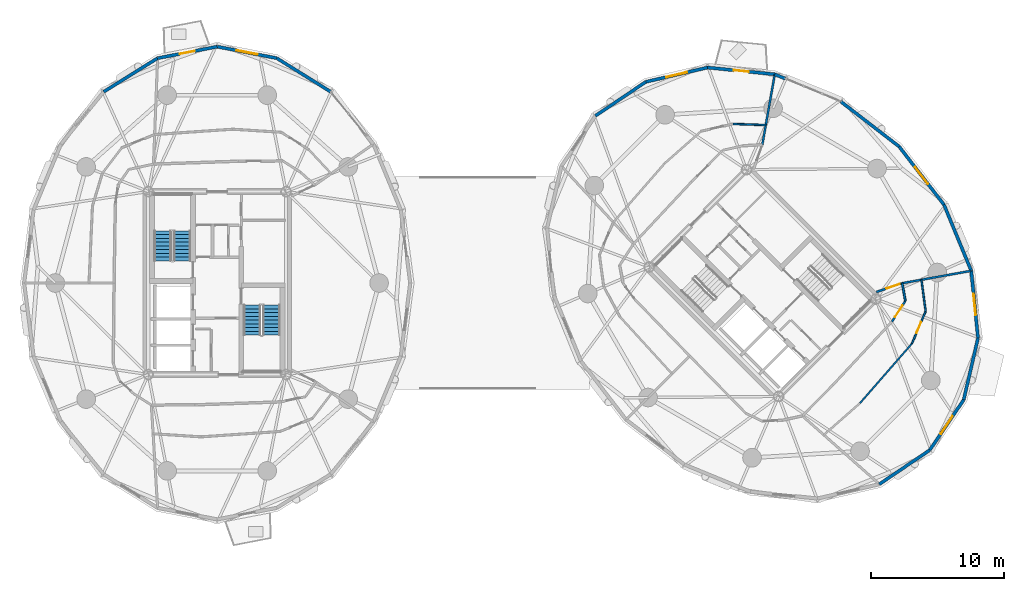
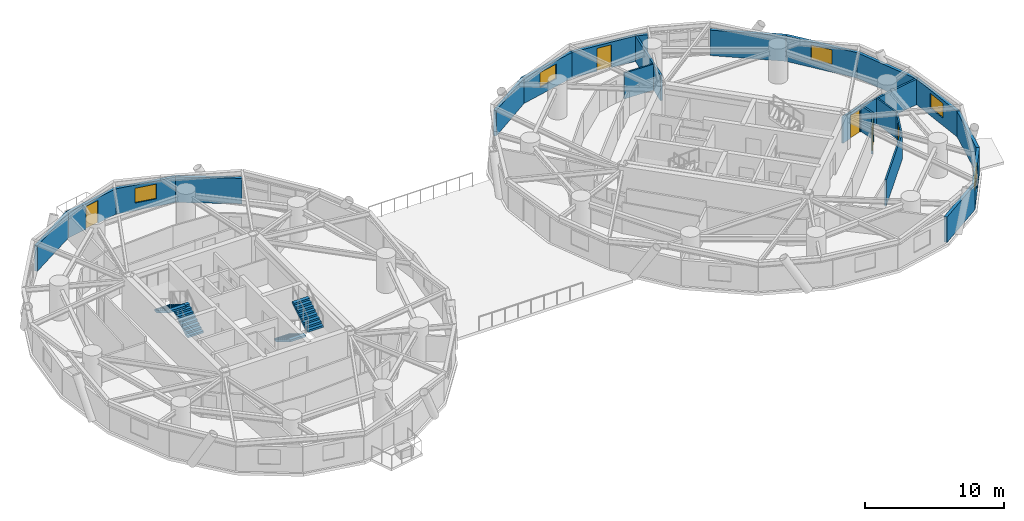
# One storey, part 14 of 19: 24 walls, 5 doors, 5 windows, 4 stair flights, 10 openings, 2 elements without a shape of their own.
"""IFC4 building model written with IfcOpenShell, lengths in metres."""

from ifc_helpers import new_model, si_unit, direction, frame, frame_2d, origin, place, context, subcontext, project, spatial, polyline, rectangle, outline, extrude, source, transform, mapped, material, layer, layer_set, type_object, element, fill, aggregate, save


model = new_model("IFC4")

# Units and contexts
model_context = context("Model", 3, precision=1e-05, world=origin(), true_north=direction((0.0, 1.0)))
body_context = subcontext(model_context, "Body", "Model", "MODEL_VIEW")
ifc_project = project(units=[si_unit("LENGTHUNIT", "METRE"), si_unit("AREAUNIT", "SQUARE_METRE"), si_unit("VOLUMEUNIT", "CUBIC_METRE"), si_unit("PLANEANGLEUNIT", "RADIAN"), si_unit("MASSUNIT", "GRAM", prefix="KILO")], contexts=[model_context])

# Site, building, storey
site_placement = place(None, origin())
site = spatial("IfcSite", under=ifc_project, at=site_placement, CompositionType="ELEMENT")
building_placement = place(site_placement, origin())
building = spatial("IfcBuilding", under=site, at=building_placement, Name="Cununo Teusaquillo Station Towers", CompositionType="ELEMENT")
storey_placement = place(building_placement, frame((0.0, 0.0, 144.0400390625)))
storey = spatial("IfcBuildingStorey", under=building, at=storey_placement, Name="L45", CompositionType="ELEMENT", Elevation=144.0400390625)

# Wall
ifc_material_1 = material(Name="Precast concrete C40/50", Category="concrete")
ifc_layer_1 = layer(ifc_material_1, 0.239990234375)
ifc_layer_set_1 = layer_set([ifc_layer_1], Name="Precast concrete C40/50")
wall_type_1 = type_object("IfcWallType", Name="WL-EXT-240", PredefinedType="SOLIDWALL", material=ifc_layer_set_1)
wall_1_placement = place(storey_placement, frame((20.9853515625, 41.400390625, 0.0), z_axis=(0.0, 0.0, 1.0), x_axis=(0.848452391194, -0.529271707044, 0.0)))
element("IfcWall", 1, at=wall_1_placement, inside=storey, type_object=wall_type_1, Name="L45 Tower A Exterior Facade Wall C03", PredefinedType="SOLIDWALL", context=body_context, shape_type="SweptSolid", body=[
    extrude(rectangle(XDim=4.76904296875, YDim=0.239990234375, at=frame_2d((2.384521484375, 0.0))), origin(), (0.0, 0.0, 1.0), 2.22900390625),
])

# Wall, opening, window
wall_2_placement = place(storey_placement, frame((16.5, 42.27001953125, 0.0), z_axis=(0.0, 0.0, 1.0), x_axis=(0.981718699963, -0.190337579429, 0.0)))
wall_2 = element("IfcWall", 2, at=wall_2_placement, inside=storey, type_object=wall_type_1, Name="L45 Tower A Exterior Facade Wall C04", PredefinedType="SOLIDWALL", context=body_context, shape_type="SweptSolid", body=[
    extrude(rectangle(XDim=4.56884765625, YDim=0.239990234375, at=frame_2d((2.284423828125, 0.0))), origin(), (0.0, 0.0, 1.0), 2.22900390625),
])
shared_shape_1 = source(origin(), body_context, "Body", "SweptSolid", [
    extrude(rectangle(XDim=1.60009765625, YDim=1.300048828125, at=frame_2d((0.800048828125, 0.64990234375))), frame((0.0, 0.1298828125, 0.0), z_axis=(0.0, -1.0, 0.0), x_axis=(1.0, 0.0, 0.0)), (0.0, 0.0, 1.0), 0.260009765625),
])
opening_1_placement = place(wall_2_placement, frame((1.48388671875, 0.0, 0.64990234375)))
opening_1 = element("IfcOpeningElement", 3, at=opening_1_placement, cuts=wall_2, Name="Opening WN-03", PredefinedType="OPENING", context=body_context, shape_type="MappedRepresentation", body=[
    mapped(shared_shape_1, transform((0.0, 0.0, 0.0), x_axis=(1.0, 0.0, 0.0), y_axis=(0.0, 1.0, 0.0), z_axis=(0.0, 0.0, 1.0), scale=1.0)),
])
ifc_material_2 = material(Name="Ceramic-fritted dark low-E double glazing", Category="glass")
window_type = type_object("IfcWindowType", Name="WIN-CORN-1600", PartitioningType="SINGLE_PANEL", PredefinedType="WINDOW", material=ifc_material_2)
shared_shape_2 = source(origin(), body_context, "Body", "SweptSolid", [
    extrude(rectangle(XDim=1.60009765625, YDim=1.300048828125, at=frame_2d((0.800048828125, 0.64990234375))), frame((0.0, 0.030029296875, 0.0), z_axis=(0.0, -1.0, 0.0), x_axis=(1.0, 0.0, 0.0)), (0.0, 0.0, 1.0), 0.06005859375),
])
window_1_placement = place(opening_1_placement, origin())
window_1 = element("IfcWindow", 4, at=window_1_placement, inside=storey, type_object=window_type, Name="L45 Tower A Facade Window C04", OverallHeight=1.300048828125, OverallWidth=1.60009765625, PartitioningType="SINGLE_PANEL", PredefinedType="WINDOW", context=body_context, shape_type="MappedRepresentation", body=[
    mapped(shared_shape_2, transform((0.0, 0.0, 0.0), x_axis=(1.0, 0.0, 0.0), y_axis=(0.0, 1.0, 0.0), z_axis=(0.0, 0.0, 1.0), scale=1.0)),
])
fill(opening_1, window_1)

# Wall, opening, door
wall_3_placement = place(storey_placement, frame((12.0146484375, 41.400390625, 0.0), z_axis=(0.0, 0.0, 1.0), x_axis=(0.981718699963, 0.190337579429, 0.0)))
wall_3 = element("IfcWall", 5, at=wall_3_placement, inside=storey, type_object=wall_type_1, Name="L45 Tower A Exterior Facade Wall C05", PredefinedType="SOLIDWALL", context=body_context, shape_type="SweptSolid", body=[
    extrude(rectangle(XDim=4.56884765625, YDim=0.239990234375, at=frame_2d((2.284423828125, 0.0))), origin(), (0.0, 0.0, 1.0), 2.22900390625),
])
shared_shape_3 = source(origin(), body_context, "Body", "SweptSolid", [
    extrude(rectangle(XDim=1.14990234375, YDim=2.0048828125, at=frame_2d((0.574951171875, 1.00244140625))), frame((0.0, 0.1298828125, 0.0), z_axis=(0.0, -1.0, 0.0), x_axis=(1.0, 0.0, 0.0)), (0.0, 0.0, 1.0), 0.260009765625),
])
opening_2_placement = place(wall_3_placement, frame((1.708984375, 0.0, 0.0)))
opening_2 = element("IfcOpeningElement", 6, at=opening_2_placement, cuts=wall_3, Name="Opening ED-03", PredefinedType="OPENING", context=body_context, shape_type="MappedRepresentation", body=[
    mapped(shared_shape_3, transform((0.0, 0.0, 0.0), x_axis=(1.0, 0.0, 0.0), y_axis=(0.0, 1.0, 0.0), z_axis=(0.0, 0.0, 1.0), scale=1.0)),
])
ifc_material_3 = material(Name="Anodised dark bronze aluminium EN AW-6063-T6", Category="aluminium")
door_type_1 = type_object("IfcDoorType", Name="DR-EXT-BAL", OperationType="NOTDEFINED", PredefinedType="DOOR", material=ifc_material_3)
shared_shape_4 = source(origin(), body_context, "Body", "SweptSolid", [
    extrude(rectangle(XDim=1.14990234375, YDim=2.0048828125, at=frame_2d((0.574951171875, 1.00244140625))), frame((0.0, 0.02490234375, 0.0), z_axis=(0.0, -1.0, 0.0), x_axis=(1.0, 0.0, 0.0)), (0.0, 0.0, 1.0), 0.050048828125),
])
door_1_placement = place(opening_2_placement, origin())
door_1 = element("IfcDoor", 7, at=door_1_placement, inside=storey, type_object=door_type_1, Name="L45 Tower A Tree Balcony Door C05", OperationType="SINGLE_SWING_LEFT", OverallHeight=2.0048828125, OverallWidth=1.14990234375, PredefinedType="DOOR", context=body_context, shape_type="MappedRepresentation", body=[
    mapped(shared_shape_4, transform((0.0, 0.0, 0.0), x_axis=(1.0, 0.0, 0.0), y_axis=(0.0, 1.0, 0.0), z_axis=(0.0, 0.0, 1.0), scale=1.0)),
])
fill(opening_2, door_1)

# Walls
wall_4_placement = place(storey_placement, frame((7.96826171875, 38.876220703125, 0.0), z_axis=(0.0, 0.0, 1.0), x_axis=(0.848452391194, 0.529271707044, 0.0)))
element("IfcWall", 8, at=wall_4_placement, inside=storey, type_object=wall_type_1, Name="L45 Tower A Exterior Facade Wall C06", PredefinedType="SOLIDWALL", context=body_context, shape_type="SweptSolid", body=[
    extrude(rectangle(XDim=4.76904296875, YDim=0.239990234375, at=frame_2d((2.384521484375, 0.0))), origin(), (0.0, 0.0, 1.0), 2.22900390625),
])
wall_5_placement = place(storey_placement, frame((63.37841796875, 38.144287109375, 0.0), z_axis=(0.0, 0.0, 1.0), x_axis=(0.791982658323, -0.610543584779, 0.0)))
element("IfcWall", 9, at=wall_5_placement, inside=storey, type_object=wall_type_1, Name="L45 Tower B Exterior Facade Wall C00", PredefinedType="SOLIDWALL", context=body_context, shape_type="SweptSolid", body=[
    extrude(rectangle(XDim=5.537109375, YDim=0.239990234375, at=frame_2d((2.7685546875, 0.0))), origin(), (0.0, 0.0, 1.0), 2.22900390625),
])
wall_6_placement = place(storey_placement, frame((58.417724609375, 40.189208984375, 0.0), z_axis=(0.0, 0.0, 1.0), x_axis=(0.924556017656, -0.381046152345, 0.0)))
element("IfcWall", 10, at=wall_6_placement, inside=storey, type_object=wall_type_1, Name="L45 Tower B Column Pier Cladding Wall C01-PA", PredefinedType="SOLIDWALL", context=body_context, shape_type="SweptSolid", body=[
    extrude(rectangle(XDim=0.8701171875, YDim=0.239990234375, at=frame_2d((0.43505859375, 0.0))), origin(), (0.0, 0.0, 1.0), 2.22900390625),
])

# Wall, opening, door
wall_7_placement = place(storey_placement, frame((53.3671875, 40.6982421875, 0.0), z_axis=(0.0, 0.0, 1.0), x_axis=(0.994959267396, -0.100279889424, 0.0)))
wall_7 = element("IfcWall", 11, at=wall_7_placement, inside=storey, type_object=wall_type_1, Name="L45 Tower B Exterior Facade Wall C02", PredefinedType="SOLIDWALL", context=body_context, shape_type="SweptSolid", body=[
    extrude(rectangle(XDim=5.076171875, YDim=0.239990234375, at=frame_2d((2.5380859375, 0.0))), origin(), (0.0, 0.0, 1.0), 2.22900390625),
])
opening_3_placement = place(wall_7_placement, frame((1.962890625, 0.0, 0.0)))
opening_3 = element("IfcOpeningElement", 12, at=opening_3_placement, cuts=wall_7, Name="Opening ED-03", PredefinedType="OPENING", context=body_context, shape_type="MappedRepresentation", body=[
    mapped(shared_shape_3, transform((0.0, 0.0, 0.0), x_axis=(1.0, 0.0, 0.0), y_axis=(0.0, 1.0, 0.0), z_axis=(0.0, 0.0, 1.0), scale=1.0)),
])
door_2_placement = place(opening_3_placement, origin())
door_2 = element("IfcDoor", 13, at=door_2_placement, inside=storey, type_object=door_type_1, Name="L45 Tower B Tree Balcony Door C02", OperationType="SINGLE_SWING_LEFT", OverallHeight=2.0048828125, OverallWidth=1.14990234375, PredefinedType="DOOR", context=body_context, shape_type="MappedRepresentation", body=[
    mapped(shared_shape_4, transform((0.0, 0.0, 0.0), x_axis=(1.0, 0.0, 0.0), y_axis=(0.0, 1.0, 0.0), z_axis=(0.0, 0.0, 1.0), scale=1.0)),
])
fill(opening_3, door_2)

# Wall, opening, window
wall_8_placement = place(storey_placement, frame((48.72119140625, 39.6220703125, 0.0), z_axis=(0.0, 0.0, 1.0), x_axis=(0.974206226622, 0.225659540039, 0.0)))
wall_8 = element("IfcWall", 14, at=wall_8_placement, inside=storey, type_object=wall_type_1, Name="L45 Tower B Exterior Facade Wall C03", PredefinedType="SOLIDWALL", context=body_context, shape_type="SweptSolid", body=[
    extrude(rectangle(XDim=4.76904296875, YDim=0.239990234375, at=frame_2d((2.384521484375, 0.0))), origin(), (0.0, 0.0, 1.0), 2.22900390625),
])
opening_4_placement = place(wall_8_placement, frame((1.5849609375, 0.0, 0.64990234375)))
opening_4 = element("IfcOpeningElement", 15, at=opening_4_placement, cuts=wall_8, Name="Opening WN-03", PredefinedType="OPENING", context=body_context, shape_type="MappedRepresentation", body=[
    mapped(shared_shape_1, transform((0.0, 0.0, 0.0), x_axis=(1.0, 0.0, 0.0), y_axis=(0.0, 1.0, 0.0), z_axis=(0.0, 0.0, 1.0), scale=1.0)),
])
window_2_placement = place(opening_4_placement, origin())
window_2 = element("IfcWindow", 16, at=window_2_placement, inside=storey, type_object=window_type, Name="L45 Tower B Facade Window C03", OverallHeight=1.300048828125, OverallWidth=1.60009765625, PartitioningType="SINGLE_PANEL", PredefinedType="WINDOW", context=body_context, shape_type="MappedRepresentation", body=[
    mapped(shared_shape_2, transform((0.0, 0.0, 0.0), x_axis=(1.0, 0.0, 0.0), y_axis=(0.0, 1.0, 0.0), z_axis=(0.0, 0.0, 1.0), scale=1.0)),
])
fill(opening_4, window_2)

# Walls
for number, where, z_axis, x_axis, name in (
    (17, (44.934814453125, 37.065185546875, 0.0), (0.0, 0.0, 1.0), (0.828739009952, 0.559635286042, 0.0), "L45 Tower B Exterior Facade Wall C04"),
    (18, (70.065185546875, 11.934814453125, 0.0), (0.0, 0.0, 1.0), (-0.828739009952, -0.559635286042, 0.0), "L45 Tower B Exterior Facade Wall C14"),
):
    element("IfcWall", number, at=place(storey_placement, frame(where, z_axis=z_axis, x_axis=x_axis)), inside=storey, type_object=wall_type_1, Name=name, PredefinedType="SOLIDWALL", context=body_context, shape_type="SweptSolid", body=[
        extrude(rectangle(XDim=4.56884765625, YDim=0.239990234375, at=frame_2d((2.284423828125, 0.0))), origin(), (0.0, 0.0, 1.0), 2.22900390625),
    ])

# Wall, opening, window
wall_9_placement = place(storey_placement, frame((72.6220703125, 15.72119140625, 0.0), z_axis=(0.0, 0.0, 1.0), x_axis=(-0.559635286042, -0.828739009952, 0.0)))
wall_9 = element("IfcWall", 19, at=wall_9_placement, inside=storey, type_object=wall_type_1, Name="L45 Tower B Exterior Facade Wall C15", PredefinedType="SOLIDWALL", context=body_context, shape_type="SweptSolid", body=[
    extrude(rectangle(XDim=4.56884765625, YDim=0.239990234375, at=frame_2d((2.284423828125, 0.0))), origin(), (0.0, 0.0, 1.0), 2.22900390625),
])
opening_5_placement = place(wall_9_placement, frame((1.48388671875, 0.0, 0.64990234375)))
opening_5 = element("IfcOpeningElement", 20, at=opening_5_placement, cuts=wall_9, Name="Opening WN-03", PredefinedType="OPENING", context=body_context, shape_type="MappedRepresentation", body=[
    mapped(shared_shape_1, transform((0.0, 0.0, 0.0), x_axis=(1.0, 0.0, 0.0), y_axis=(0.0, 1.0, 0.0), z_axis=(0.0, 0.0, 1.0), scale=1.0)),
])
window_3_placement = place(opening_5_placement, origin())
window_3 = element("IfcWindow", 21, at=window_3_placement, inside=storey, type_object=window_type, Name="L45 Tower B Facade Window C15", OverallHeight=1.300048828125, OverallWidth=1.60009765625, PartitioningType="SINGLE_PANEL", PredefinedType="WINDOW", context=body_context, shape_type="MappedRepresentation", body=[
    mapped(shared_shape_2, transform((0.0, 0.0, 0.0), x_axis=(1.0, 0.0, 0.0), y_axis=(0.0, 1.0, 0.0), z_axis=(0.0, 0.0, 1.0), scale=1.0)),
])
fill(opening_5, window_3)

# Wall
wall_10_placement = place(storey_placement, frame((73.6982421875, 20.3671875, 0.0), z_axis=(0.0, 0.0, 1.0), x_axis=(-0.225659540039, -0.974206226622, 0.0)))
element("IfcWall", 22, at=wall_10_placement, inside=storey, type_object=wall_type_1, Name="L45 Tower B Exterior Facade Wall C16", PredefinedType="SOLIDWALL", context=body_context, shape_type="SweptSolid", body=[
    extrude(rectangle(XDim=4.76904296875, YDim=0.239990234375, at=frame_2d((2.384521484375, 0.0))), origin(), (0.0, 0.0, 1.0), 2.22900390625),
])

# Wall, opening, window
wall_11_placement = place(storey_placement, frame((73.189208984375, 25.417724609375, 0.0), z_axis=(0.0, 0.0, 1.0), x_axis=(0.100279889424, -0.994959267396, 0.0)))
wall_11 = element("IfcWall", 23, at=wall_11_placement, inside=storey, type_object=wall_type_1, Name="L45 Tower B Exterior Facade Wall C17", PredefinedType="SOLIDWALL", context=body_context, shape_type="SweptSolid", body=[
    extrude(rectangle(XDim=5.076171875, YDim=0.239990234375, at=frame_2d((2.5380859375, 0.0))), origin(), (0.0, 0.0, 1.0), 2.22900390625),
])
opening_6_placement = place(wall_11_placement, frame((1.738037109375, 0.0, 0.64990234375)))
opening_6 = element("IfcOpeningElement", 24, at=opening_6_placement, cuts=wall_11, Name="Opening WN-03", PredefinedType="OPENING", context=body_context, shape_type="MappedRepresentation", body=[
    mapped(shared_shape_1, transform((0.0, 0.0, 0.0), x_axis=(1.0, 0.0, 0.0), y_axis=(0.0, 1.0, 0.0), z_axis=(0.0, 0.0, 1.0), scale=1.0)),
])
window_4_placement = place(opening_6_placement, origin())
window_4 = element("IfcWindow", 25, at=window_4_placement, inside=storey, type_object=window_type, Name="L45 Tower B Facade Window C17", OverallHeight=1.300048828125, OverallWidth=1.60009765625, PartitioningType="SINGLE_PANEL", PredefinedType="WINDOW", context=body_context, shape_type="MappedRepresentation", body=[
    mapped(shared_shape_2, transform((0.0, 0.0, 0.0), x_axis=(1.0, 0.0, 0.0), y_axis=(0.0, 1.0, 0.0), z_axis=(0.0, 0.0, 1.0), scale=1.0)),
])
fill(opening_6, window_4)

# Wall
wall_12_placement = place(storey_placement, frame((71.144287109375, 30.37841796875, 0.0), z_axis=(0.0, 0.0, 1.0), x_axis=(0.38111364655, -0.924528197738, 0.0)))
element("IfcWall", 26, at=wall_12_placement, inside=storey, type_object=wall_type_1, Name="L45 Tower B Exterior Facade Wall C18", PredefinedType="SOLIDWALL", context=body_context, shape_type="SweptSolid", body=[
    extrude(rectangle(XDim=5.36572265625, YDim=0.239990234375, at=frame_2d((2.682861328125, 0.0))), origin(), (0.0, 0.0, 1.0), 2.22900390625),
])

# Wall, opening, window
wall_13_placement = place(storey_placement, frame((67.763671875, 34.763671875, 0.0), z_axis=(0.0, 0.0, 1.0), x_axis=(0.610543584779, -0.791982658323, 0.0)))
wall_13 = element("IfcWall", 27, at=wall_13_placement, inside=storey, type_object=wall_type_1, Name="L45 Tower B Exterior Facade Wall C19", PredefinedType="SOLIDWALL", context=body_context, shape_type="SweptSolid", body=[
    extrude(rectangle(XDim=5.537109375, YDim=0.239990234375, at=frame_2d((2.7685546875, 0.0))), origin(), (0.0, 0.0, 1.0), 2.22900390625),
])
opening_7_placement = place(wall_13_placement, frame((1.968017578125, 0.0, 0.64990234375)))
opening_7 = element("IfcOpeningElement", 28, at=opening_7_placement, cuts=wall_13, Name="Opening WN-03", PredefinedType="OPENING", context=body_context, shape_type="MappedRepresentation", body=[
    mapped(shared_shape_1, transform((0.0, 0.0, 0.0), x_axis=(1.0, 0.0, 0.0), y_axis=(0.0, 1.0, 0.0), z_axis=(0.0, 0.0, 1.0), scale=1.0)),
])
window_5_placement = place(opening_7_placement, origin())
window_5 = element("IfcWindow", 29, at=window_5_placement, inside=storey, type_object=window_type, Name="L45 Tower B Facade Window C19", OverallHeight=1.300048828125, OverallWidth=1.60009765625, PartitioningType="SINGLE_PANEL", PredefinedType="WINDOW", context=body_context, shape_type="MappedRepresentation", body=[
    mapped(shared_shape_2, transform((0.0, 0.0, 0.0), x_axis=(1.0, 0.0, 0.0), y_axis=(0.0, 1.0, 0.0), z_axis=(0.0, 0.0, 1.0), scale=1.0)),
])
fill(opening_7, window_5)

# Walls
ifc_material_4 = material(Name="Fire-rated gypsum plasterboard partition assembly", Category="gypsum")
ifc_layer_2 = layer(ifc_material_4, 0.125)
ifc_layer_set_2 = layer_set([ifc_layer_2], Name="Fire-rated gypsum plasterboard partition assembly")
wall_type_2 = type_object("IfcWallType", Name="WL-PART-125", PredefinedType="PARTITIONING", material=ifc_layer_set_2)
wall_14_placement = place(storey_placement, frame((57.7431640625, 36.374755859375, 0.0), z_axis=(0.0, 0.0, 1.0), x_axis=(-0.999406824152, 0.03443834836, 0.0)))
element("IfcWall", 30, at=wall_14_placement, inside=storey, type_object=wall_type_2, Name="L45 Tower B Belvedere Botanical Conservatory Salon Concentric Partition Wall C02", PredefinedType="PARTITIONING", context=body_context, shape_type="SweptSolid", body=[
    extrude(rectangle(XDim=2.4599609375, YDim=0.125, at=frame_2d((1.22998046875, 0.0))), origin(), (0.0, 0.0, 1.0), 2.27490234375),
])
wall_15_placement = place(storey_placement, frame((64.818603515625, 15.463623046875, 0.0), z_axis=(0.0, 0.0, 1.0), x_axis=(0.657357859075, 0.75357855935, 0.0)))
element("IfcWall", 31, at=wall_15_placement, inside=storey, type_object=wall_type_2, Name="L45 Tower B Belvedere Tea & Reading Club Concentric Partition Wall C15", PredefinedType="PARTITIONING", context=body_context, shape_type="SweptSolid", body=[
    extrude(rectangle(XDim=5.95751953125, YDim=0.125, at=frame_2d((2.978759765625, 0.0))), origin(), (0.0, 0.0, 1.0), 2.27490234375),
])

# Wall, opening, door
wall_16_placement = place(storey_placement, frame((68.73486328125, 19.953125, 0.0), z_axis=(0.0, 0.0, 1.0), x_axis=(0.390621397191, 0.920551423907, 0.0)))
wall_16 = element("IfcWall", 32, at=wall_16_placement, inside=storey, type_object=wall_type_2, Name="L45 Tower B Belvedere Tea & Reading Club Concentric Partition Wall C16", PredefinedType="PARTITIONING", context=body_context, shape_type="SweptSolid", body=[
    extrude(rectangle(XDim=2.628662109375, YDim=0.125, at=frame_2d((1.314453125, 0.0))), origin(), (0.0, 0.0, 1.0), 2.27490234375),
])
shared_shape_5 = source(origin(), body_context, "Body", "SweptSolid", [
    extrude(rectangle(XDim=0.89990234375, YDim=2.0048828125, at=frame_2d((0.449951171875, 1.00244140625))), frame((0.0, 0.072509765625, 0.0), z_axis=(0.0, -1.0, 0.0), x_axis=(1.0, 0.0, 0.0)), (0.0, 0.0, 1.0), 0.14501953125),
])
opening_8_placement = place(wall_16_placement, frame((0.864501953125, 0.0, 0.0)))
opening_8 = element("IfcOpeningElement", 33, at=opening_8_placement, cuts=wall_16, Name="Opening D-IN1", PredefinedType="OPENING", context=body_context, shape_type="MappedRepresentation", body=[
    mapped(shared_shape_5, transform((0.0, 0.0, 0.0), x_axis=(1.0, 0.0, 0.0), y_axis=(0.0, 1.0, 0.0), z_axis=(0.0, 0.0, 1.0), scale=1.0)),
])
ifc_material_5 = material(Name="Acoustic solid-core hardwood leaf assembly", Category="wood")
door_type_2 = type_object("IfcDoorType", Name="DR-INT-900", OperationType="NOTDEFINED", PredefinedType="DOOR", material=ifc_material_5)
shared_shape_6 = source(origin(), body_context, "Body", "SweptSolid", [
    extrude(rectangle(XDim=0.89990234375, YDim=2.0048828125, at=frame_2d((0.449951171875, 1.00244140625))), frame((0.0, 0.02490234375, 0.0), z_axis=(0.0, -1.0, 0.0), x_axis=(1.0, 0.0, 0.0)), (0.0, 0.0, 1.0), 0.050048828125),
])
door_3_placement = place(opening_8_placement, origin())
door_3 = element("IfcDoor", 34, at=door_3_placement, inside=storey, type_object=door_type_2, Name="L45 Tower B Belvedere Tea & Reading Club Connecting Door", OperationType="SINGLE_SWING_LEFT", OverallHeight=2.0048828125, OverallWidth=0.89990234375, PredefinedType="DOOR", context=body_context, shape_type="MappedRepresentation", body=[
    mapped(shared_shape_6, transform((0.0, 0.0, 0.0), x_axis=(1.0, 0.0, 0.0), y_axis=(0.0, 1.0, 0.0), z_axis=(0.0, 0.0, 1.0), scale=1.0)),
])
fill(opening_8, door_3)

# Wall
wall_17_placement = place(storey_placement, frame((69.76171875, 22.373046875, 0.0), z_axis=(0.0, 0.0, 1.0), x_axis=(-0.131715949278, 0.991287500529, 0.0)))
element("IfcWall", 35, at=wall_17_placement, inside=storey, type_object=wall_type_2, Name="L45 Tower B Belvedere Tea & Reading Club Concentric Partition Wall C17", PredefinedType="PARTITIONING", context=body_context, shape_type="SweptSolid", body=[
    extrude(rectangle(XDim=2.392822265625, YDim=0.125, at=frame_2d((1.1962890625, 0.0))), origin(), (0.0, 0.0, 1.0), 2.27490234375),
])

# Wall, opening, door
ifc_material_6 = material(Name="Fire-rated gypsum plasterboard partition assembly", Category="gypsum")
ifc_layer_3 = layer(ifc_material_6, 0.14990234375)
ifc_layer_set_3 = layer_set([ifc_layer_3], Name="Fire-rated gypsum plasterboard partition assembly")
wall_type_3 = type_object("IfcWallType", Name="WL-PART-150", PredefinedType="PARTITIONING", material=ifc_layer_set_3)
wall_18_placement = place(storey_placement, frame((67.22998046875, 21.59521484375, 0.0), z_axis=(0.0, 0.0, 1.0), x_axis=(0.543687770222, 0.839287560084, 0.0)))
wall_18 = element("IfcWall", 36, at=wall_18_placement, inside=storey, type_object=wall_type_3, Name="L45 Tower B Corridor Ring Wall C16", PredefinedType="PARTITIONING", context=body_context, shape_type="SweptSolid", body=[
    extrude(rectangle(XDim=1.85498046875, YDim=0.14990234375, at=frame_2d((0.927490234375, 0.0))), origin(), (0.0, 0.0, 1.0), 2.27490234375),
])
shared_shape_7 = source(origin(), body_context, "Body", "SweptSolid", [
    extrude(rectangle(XDim=1.050048828125, YDim=2.014892578125, at=frame_2d((0.52490234375, 1.00732421875))), frame((0.0, 0.0849609375, 0.0), z_axis=(0.0, -1.0, 0.0), x_axis=(1.0, 0.0, 0.0)), (0.0, 0.0, 1.0), 0.169921875),
])
opening_9_placement = place(wall_18_placement, frame((0.40234375, 0.0, 0.0)))
opening_9 = element("IfcOpeningElement", 37, at=opening_9_placement, cuts=wall_18, Name="Opening D-SU1", PredefinedType="OPENING", context=body_context, shape_type="MappedRepresentation", body=[
    mapped(shared_shape_7, transform((0.0, 0.0, 0.0), x_axis=(1.0, 0.0, 0.0), y_axis=(0.0, 1.0, 0.0), z_axis=(0.0, 0.0, 1.0), scale=1.0)),
])
ifc_material_7 = material(Name="Acoustic solid-core hardwood leaf assembly", Category="wood")
door_type_3 = type_object("IfcDoorType", Name="DR-SUITE-1050", OperationType="NOTDEFINED", PredefinedType="DOOR", material=ifc_material_7)
shared_shape_8 = source(origin(), body_context, "Body", "SweptSolid", [
    extrude(rectangle(XDim=1.050048828125, YDim=2.014892578125, at=frame_2d((0.52490234375, 1.00732421875))), frame((0.0, 0.02490234375, 0.0), z_axis=(0.0, -1.0, 0.0), x_axis=(1.0, 0.0, 0.0)), (0.0, 0.0, 1.0), 0.050048828125),
])
door_4_placement = place(opening_9_placement, origin())
door_4 = element("IfcDoor", 38, at=door_4_placement, inside=storey, type_object=door_type_3, Name="L45 Tower B Belvedere Tea & Reading Club Entrance Door", OperationType="SINGLE_SWING_RIGHT", OverallHeight=2.014892578125, OverallWidth=1.050048828125, PredefinedType="DOOR", context=body_context, shape_type="MappedRepresentation", body=[
    mapped(shared_shape_8, transform((0.0, 0.0, 0.0), x_axis=(1.0, 0.0, 0.0), y_axis=(0.0, 1.0, 0.0), z_axis=(0.0, 0.0, 1.0), scale=1.0)),
])
fill(opening_9, door_4)

# Walls
wall_19_placement = place(storey_placement, frame((68.238525390625, 23.152099609375, 0.0), z_axis=(0.0, 0.0, 1.0), x_axis=(-0.177076146115, 0.984197154272, 0.0)))
element("IfcWall", 39, at=wall_19_placement, inside=storey, type_object=wall_type_3, Name="L45 Tower B Corridor Ring Wall C17", PredefinedType="PARTITIONING", context=body_context, shape_type="SweptSolid", body=[
    extrude(rectangle(XDim=1.35400390625, YDim=0.14990234375, at=frame_2d((0.677001953125, 0.0))), origin(), (0.0, 0.0, 1.0), 2.27490234375),
])
ifc_material_8 = material(Name="Fire-rated gypsum plasterboard partition assembly", Category="gypsum")
ifc_layer_4 = layer(ifc_material_8, 0.159912109375)
ifc_layer_set_4 = layer_set([ifc_layer_4], Name="Fire-rated gypsum plasterboard partition assembly")
wall_type_4 = type_object("IfcWallType", Name="WL-PART-160", PredefinedType="PARTITIONING", material=ifc_layer_set_4)
wall_20_placement = place(storey_placement, frame((57.48193359375, 34.899169921875, 0.0), z_axis=(0.0, 0.0, 1.0), x_axis=(0.174251112754, 0.98470124896, 0.0)))
element("IfcWall", 40, at=wall_20_placement, inside=storey, type_object=wall_type_4, Name="L45 Tower B Radial Suite Partition R01", PredefinedType="PARTITIONING", context=body_context, shape_type="SweptSolid", body=[
    extrude(rectangle(XDim=5.35205078125, YDim=0.159912109375, at=frame_2d((2.676025390625, 0.0))), origin(), (0.0, 0.0, 1.0), 2.22900390625),
])
wall_21_placement = place(storey_placement, frame((67.998779296875, 24.484619140625, 0.0), z_axis=(0.0, 0.0, 1.0), x_axis=(0.984209402602, 0.177008055834, 0.0)))
element("IfcWall", 41, at=wall_21_placement, inside=storey, type_object=wall_type_4, Name="L45 Tower B Radial Suite Partition R05", PredefinedType="PARTITIONING", context=body_context, shape_type="SweptSolid", body=[
    extrude(rectangle(XDim=5.253662109375, YDim=0.159912109375, at=frame_2d((2.626953125, 0.0))), origin(), (0.0, 0.0, 1.0), 2.22900390625),
])

# Wall, opening, door
wall_22_placement = place(storey_placement, frame((66.055908203125, 23.828125, 0.0), z_axis=(0.0, 0.0, 1.0), x_axis=(0.947377696447, 0.320117947442, 0.0)))
wall_22 = element("IfcWall", 42, at=wall_22_placement, inside=storey, type_object=wall_type_4, Name="L45 Tower B East Salon Corridor Portal Wall SE", PredefinedType="PARTITIONING", context=body_context, shape_type="SweptSolid", body=[
    extrude(rectangle(XDim=2.05078125, YDim=0.159912109375, at=frame_2d((1.025390625, 0.0))), origin(), (0.0, 0.0, 1.0), 2.27490234375),
])
shared_shape_9 = source(origin(), body_context, "Body", "SweptSolid", [
    extrude(rectangle(XDim=1.050048828125, YDim=2.014892578125, at=frame_2d((0.52490234375, 1.00732421875))), frame((0.0, 0.08984375, 0.0), z_axis=(0.0, -1.0, 0.0), x_axis=(1.0, 0.0, 0.0)), (0.0, 0.0, 1.0), 0.179931640625),
])
opening_10_placement = place(wall_22_placement, frame((0.800537109375, 0.0, 0.0)))
opening_10 = element("IfcOpeningElement", 43, at=opening_10_placement, cuts=wall_22, Name="Opening D-SU1", PredefinedType="OPENING", context=body_context, shape_type="MappedRepresentation", body=[
    mapped(shared_shape_9, transform((0.0, 0.0, 0.0), x_axis=(1.0, 0.0, 0.0), y_axis=(0.0, 1.0, 0.0), z_axis=(0.0, 0.0, 1.0), scale=1.0)),
])
door_5_placement = place(opening_10_placement, origin())
door_5 = element("IfcDoor", 44, at=door_5_placement, inside=storey, type_object=door_type_3, Name="L45 Tower B East Panorama Sky Salon Door SE", OperationType="SINGLE_SWING_RIGHT", OverallHeight=2.014892578125, OverallWidth=1.050048828125, PredefinedType="DOOR", context=body_context, shape_type="MappedRepresentation", body=[
    mapped(shared_shape_8, transform((0.0, 0.0, 0.0), x_axis=(1.0, 0.0, 0.0), y_axis=(0.0, 1.0, 0.0), z_axis=(0.0, 0.0, 1.0), scale=1.0)),
])
fill(opening_10, door_5)

# Stair, stair flights
ifc_material_9 = material(Name="Concrete C50/60", Category="concrete")
stair_type = type_object("IfcStairType", Name="ST-TWR-1300", PredefinedType="HALF_TURN_STAIR", material=ifc_material_9)
stair_1_placement = place(storey_placement, origin())
stair_1 = element("IfcStair", 45, at=stair_1_placement, inside=storey, type_object=stair_type, Name="L45 Tower A Protected Core Exit Stair 1", PredefinedType="HALF_TURN_STAIR")
ifc_material_10 = material(Name="Concrete C50/60", Category="concrete")
stair_flight_type = type_object("IfcStairFlightType", Name="SFL-TWR-1300", PredefinedType="STRAIGHT", material=ifc_material_10)
stair_flight_1_placement = place(storey_placement, frame((13.8701171875, 26.169921875, 0.0), z_axis=(0.0, 0.0, 1.0), x_axis=(0.0, 1.0, 0.0)))
stair_flight_1 = element("IfcStairFlight", 46, at=stair_flight_1_placement, type_object=stair_flight_type, Name="ST-T1-1 flight 1", NumberOfRisers=9, NumberOfTreads=8, PredefinedType="STRAIGHT", RiserHeight=0.17, TreadLength=0.28, context=body_context, shape_type="SweptSolid", body=[
    extrude(outline(polyline([(0.0, 0.0), (0.0, 0.169921875), (0.280029296875, 0.169921875), (0.280029296875, 0.340087890625), (0.56005859375, 0.340087890625), (0.56005859375, 0.510009765625), (0.840087890625, 0.510009765625), (0.840087890625, 0.679931640625), (1.1201171875, 0.679931640625), (1.1201171875, 0.85009765625), (1.39990234375, 0.85009765625), (1.39990234375, 1.02001953125), (1.679931640625, 1.02001953125), (1.679931640625, 1.18994140625), (1.9599609375, 1.18994140625), (1.9599609375, 1.360107421875), (2.239990234375, 1.360107421875), (2.239990234375, 1.530029296875), (2.239990234375, 1.1845703125), (0.288818359375, 0.0), (0.0, 0.0)])), frame((0.0, 0.64990234375, 0.0), z_axis=(0.0, -1.0, 0.0), x_axis=(1.0, 0.0, 0.0)), (0.0, 0.0, 1.0), 1.300048828125),
])
stair_flight_2_placement = place(storey_placement, frame((12.409912109375, 28.409912109375, 1.530029296875), z_axis=(0.0, 0.0, 1.0), x_axis=(0.0, -1.0, 0.0)))
stair_flight_2 = element("IfcStairFlight", 47, at=stair_flight_2_placement, type_object=stair_flight_type, Name="ST-T1-1 flight 2", NumberOfRisers=9, NumberOfTreads=8, PredefinedType="STRAIGHT", RiserHeight=0.17, TreadLength=0.28, context=body_context, shape_type="SweptSolid", body=[
    extrude(outline(polyline([(0.0, 0.0), (0.0, 0.169921875), (0.280029296875, 0.169921875), (0.280029296875, 0.340087890625), (0.56005859375, 0.340087890625), (0.56005859375, 0.510009765625), (0.840087890625, 0.510009765625), (0.840087890625, 0.679931640625), (1.1201171875, 0.679931640625), (1.1201171875, 0.85009765625), (1.39990234375, 0.85009765625), (1.39990234375, 1.02001953125), (1.679931640625, 1.02001953125), (1.679931640625, 1.18994140625), (1.9599609375, 1.18994140625), (1.9599609375, 1.360107421875), (2.239990234375, 1.360107421875), (2.239990234375, 1.530029296875), (2.239990234375, 1.1845703125), (0.288818359375, 0.0), (0.0, 0.0)])), frame((0.0, 0.64990234375, 0.0), z_axis=(0.0, -1.0, 0.0), x_axis=(1.0, 0.0, 0.0)), (0.0, 0.0, 1.0), 1.300048828125),
])
aggregate(stair_1, [stair_flight_1, stair_flight_2])

stair_2_placement = place(storey_placement, origin())
stair_2 = element("IfcStair", 48, at=stair_2_placement, inside=storey, type_object=stair_type, Name="L45 Tower A Protected Core Exit Stair 2", PredefinedType="HALF_TURN_STAIR")
stair_flight_3_placement = place(storey_placement, frame((19.1298828125, 22.830078125, 0.0), z_axis=(0.0, 0.0, 1.0), x_axis=(0.0, -1.0, 0.0)))
stair_flight_3 = element("IfcStairFlight", 49, at=stair_flight_3_placement, type_object=stair_flight_type, Name="ST-T1-2 flight 1", NumberOfRisers=9, NumberOfTreads=8, PredefinedType="STRAIGHT", RiserHeight=0.17, TreadLength=0.28, context=body_context, shape_type="SweptSolid", body=[
    extrude(outline(polyline([(0.0, 0.0), (0.0, 0.169921875), (0.280029296875, 0.169921875), (0.280029296875, 0.340087890625), (0.56005859375, 0.340087890625), (0.56005859375, 0.510009765625), (0.840087890625, 0.510009765625), (0.840087890625, 0.679931640625), (1.1201171875, 0.679931640625), (1.1201171875, 0.85009765625), (1.39990234375, 0.85009765625), (1.39990234375, 1.02001953125), (1.679931640625, 1.02001953125), (1.679931640625, 1.18994140625), (1.9599609375, 1.18994140625), (1.9599609375, 1.360107421875), (2.239990234375, 1.360107421875), (2.239990234375, 1.530029296875), (2.239990234375, 1.1845703125), (0.288818359375, 0.0), (0.0, 0.0)])), frame((0.0, 0.64990234375, 0.0), z_axis=(0.0, -1.0, 0.0), x_axis=(1.0, 0.0, 0.0)), (0.0, 0.0, 1.0), 1.300048828125),
])
stair_flight_4_placement = place(storey_placement, frame((20.590087890625, 20.590087890625, 1.530029296875), z_axis=(0.0, 0.0, 1.0), x_axis=(0.0, 1.0, 0.0)))
stair_flight_4 = element("IfcStairFlight", 50, at=stair_flight_4_placement, type_object=stair_flight_type, Name="ST-T1-2 flight 2", NumberOfRisers=9, NumberOfTreads=8, PredefinedType="STRAIGHT", RiserHeight=0.17, TreadLength=0.28, context=body_context, shape_type="SweptSolid", body=[
    extrude(outline(polyline([(0.0, 0.0), (0.0, 0.169921875), (0.280029296875, 0.169921875), (0.280029296875, 0.340087890625), (0.56005859375, 0.340087890625), (0.56005859375, 0.510009765625), (0.840087890625, 0.510009765625), (0.840087890625, 0.679931640625), (1.1201171875, 0.679931640625), (1.1201171875, 0.85009765625), (1.39990234375, 0.85009765625), (1.39990234375, 1.02001953125), (1.679931640625, 1.02001953125), (1.679931640625, 1.18994140625), (1.9599609375, 1.18994140625), (1.9599609375, 1.360107421875), (2.239990234375, 1.360107421875), (2.239990234375, 1.530029296875), (2.239990234375, 1.1845703125), (0.288818359375, 0.0), (0.0, 0.0)])), frame((0.0, 0.64990234375, 0.0), z_axis=(0.0, -1.0, 0.0), x_axis=(1.0, 0.0, 0.0)), (0.0, 0.0, 1.0), 1.300048828125),
])
aggregate(stair_2, [stair_flight_3, stair_flight_4])

save(model, "model.ifc")
